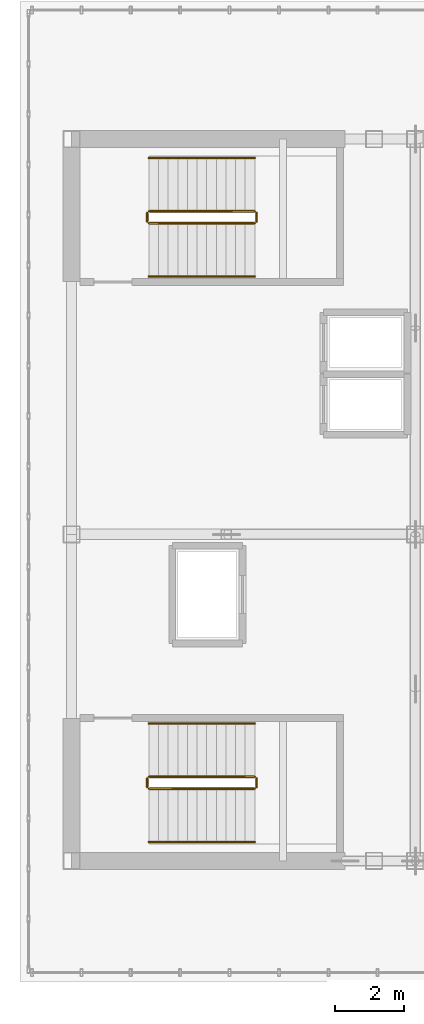
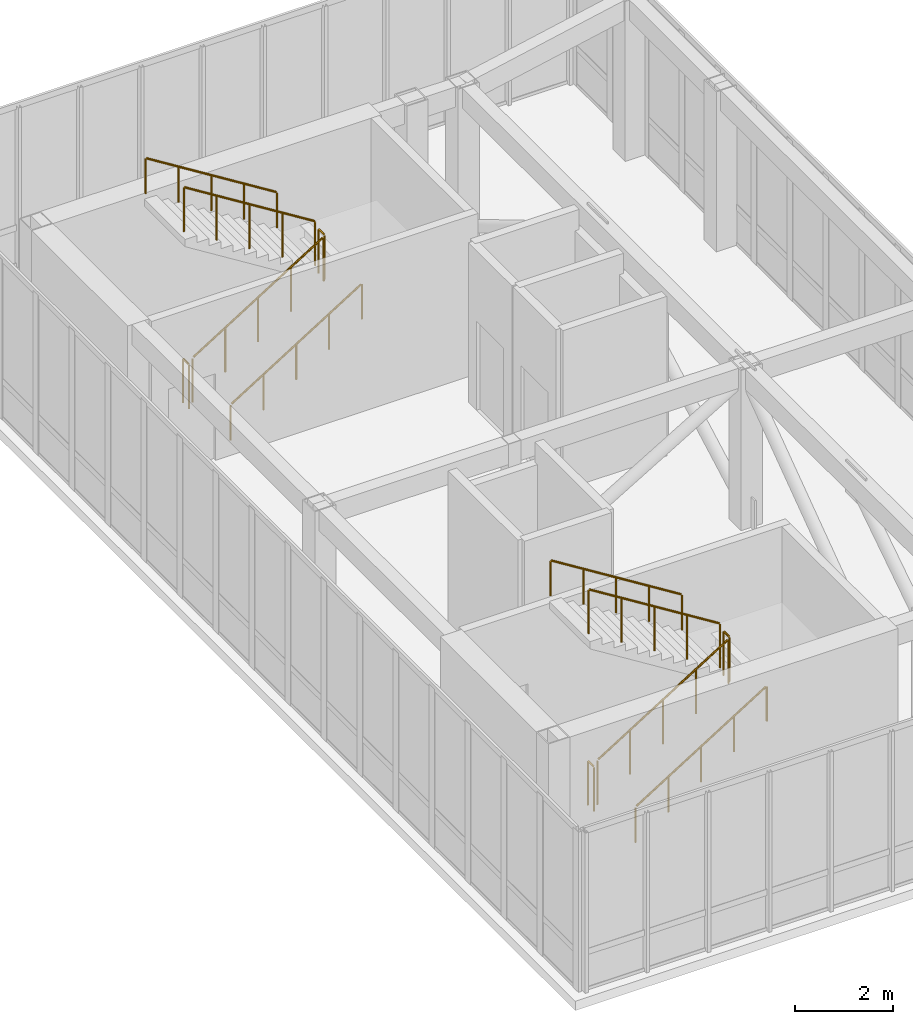
# One storey, part 13 of 13: 12 railings.
"""IFC4 building model written with IfcOpenShell, lengths in metres."""

from ifc_helpers import new_model, si_unit, direction, frame, origin, origin_2d, place, context, subcontext, project, spatial, circle, extrude, source, transform, mapped, material, layer, layer_set, type_object, element, save


model = new_model("IFC4")

# Units and contexts
model_context = context("Model", 3, precision=1e-05, world=origin(), true_north=direction((0.0, 1.0)))
body_context = subcontext(model_context, "Body", "Model", "MODEL_VIEW")
ifc_project = project(units=[si_unit("LENGTHUNIT", "METRE"), si_unit("AREAUNIT", "SQUARE_METRE"), si_unit("VOLUMEUNIT", "CUBIC_METRE"), si_unit("PLANEANGLEUNIT", "RADIAN"), si_unit("MASSUNIT", "GRAM", prefix="KILO")], contexts=[model_context])

# Site, building, storey
site_placement = place(None, origin())
site = spatial("IfcSite", under=ifc_project, at=site_placement, CompositionType="ELEMENT")
building_placement = place(site_placement, origin())
building = spatial("IfcBuilding", under=site, at=building_placement, Name="Kharzan Plaza Tower", CompositionType="ELEMENT")
storey_placement = place(building_placement, frame((0.0, 0.0, 294.0)))
storey = spatial("IfcBuildingStorey", under=building, at=storey_placement, Name="L79-CROWN", CompositionType="ELEMENT", Elevation=294.0)

# Railings
ifc_material_1 = material(Name="Painted Galvanized Architectural Steel", Category="steel")
ifc_layer_1 = layer(ifc_material_1, 0.074951171875)
ifc_layer_set_1 = layer_set([ifc_layer_1], Name="Painted Galvanized Architectural Steel")
railing_type_1 = type_object("IfcRailingType", Name="RL-GUARD-1120", PredefinedType="BALUSTRADE", material=ifc_layer_set_1)
shared_shape_1 = source(origin(), body_context, "Body", "SweptSolid", [
    extrude(circle(Radius=0.02392578125, at=origin_2d()), frame((0.0, 0.0263671875, 1.09619140625), z_axis=(0.0, 1.0, 0.0), x_axis=(-1.0, 0.0, 0.0)), (0.0, 0.0, 1.0), 0.197021484375),
    extrude(circle(Radius=0.02099609375, at=origin_2d()), origin(), (0.0, 0.0, 1.0), 1.072021484375),
    extrude(circle(Radius=0.02099609375, at=origin_2d()), frame((0.0, 0.25, 0.0)), (0.0, 0.0, 1.0), 1.072021484375),
])
for number, where, name in (
    (1, (9.8798828125, 10.64990234375, 2.10009765625), "L79-CROWN ST-1 stair guard 2"),
    (2, (6.699951171875, 10.64990234375, 0.0), "L79-CROWN ST-1 stair guard 4"),
    (3, (9.8798828125, 27.10009765625, 2.10009765625), "L79-CROWN ST-2 stair guard 2"),
    (4, (6.699951171875, 27.10009765625, 0.0), "L79-CROWN ST-2 stair guard 4"),
):
    element("IfcRailing", number, at=place(storey_placement, frame(where)), inside=storey, type_object=railing_type_1, Name=name, PredefinedType="BALUSTRADE", context=body_context, shape_type="MappedRepresentation", body=[
        mapped(shared_shape_1, transform((0.0, 0.0, 0.0), x_axis=(1.0, 0.0, 0.0), y_axis=(0.0, 1.0, 0.0), z_axis=(0.0, 0.0, 1.0))),
    ])
shared_shape_2 = source(origin(), body_context, "Body", "SweptSolid", [
    extrude(circle(Radius=0.02392578125, at=origin_2d()), frame((0.0224609375, 0.0, 1.110107421875), z_axis=(0.847998304005, 0.0, 0.529998940003), x_axis=(0.0, 1.0, 0.0)), (0.0, 0.0, 1.0), 3.579345703125),
    extrude(circle(Radius=0.02099609375, at=origin_2d()), origin(), (0.0, 0.0, 1.0), 1.072021484375),
    extrude(circle(Radius=0.02099609375, at=origin_2d()), frame((0.77001953125, 0.0, 0.481201171875)), (0.0, 0.0, 1.0), 1.072021484375),
    extrude(circle(Radius=0.02099609375, at=origin_2d()), frame((1.5400390625, 0.0, 0.96240234375)), (0.0, 0.0, 1.0), 1.072021484375),
    extrude(circle(Radius=0.02099609375, at=origin_2d()), frame((2.31005859375, 0.0, 1.44384765625)), (0.0, 0.0, 1.0), 1.072021484375),
    extrude(circle(Radius=0.02099609375, at=origin_2d()), frame((3.080078125, 0.0, 1.925048828125)), (0.0, 0.0, 1.0), 1.072021484375),
])
for number, where, name in (
    (5, (6.75, 10.60009765625, 0.175048828125), "L79-CROWN ST-1 stair guard 1"),
    (6, (6.75, 27.050048828125, 0.175048828125), "L79-CROWN ST-2 stair guard 1"),
):
    element("IfcRailing", number, at=place(storey_placement, frame(where)), inside=storey, type_object=railing_type_1, Name=name, PredefinedType="BALUSTRADE", context=body_context, shape_type="MappedRepresentation", body=[
        mapped(shared_shape_2, transform((0.0, 0.0, 0.0), x_axis=(1.0, 0.0, 0.0), y_axis=(0.0, 1.0, 0.0), z_axis=(0.0, 0.0, 1.0))),
    ])
ifc_material_2 = material(Name="Brushed Stainless Steel", Category="steel")
ifc_layer_2 = layer(ifc_material_2, 0.050048828125)
ifc_layer_set_2 = layer_set([ifc_layer_2], Name="Brushed Stainless Steel")
railing_type_2 = type_object("IfcRailingType", Name="RL-STAIR-HR920", PredefinedType="HANDRAIL", material=ifc_layer_set_2)
shared_shape_3 = source(origin(), body_context, "Body", "SweptSolid", [
    extrude(circle(Radius=0.02392578125, at=origin_2d()), frame((0.0224609375, 0.0, 0.889892578125), z_axis=(0.847998304005, 0.0, 0.529998940003), x_axis=(0.0, 1.0, 0.0)), (0.0, 0.0, 1.0), 3.579345703125),
    extrude(circle(Radius=0.02099609375, at=origin_2d()), origin(), (0.0, 0.0, 1.0), 0.851806640625),
    extrude(circle(Radius=0.02099609375, at=origin_2d()), frame((0.77001953125, 0.0, 0.481201171875)), (0.0, 0.0, 1.0), 0.851806640625),
    extrude(circle(Radius=0.02099609375, at=origin_2d()), frame((1.5400390625, 0.0, 0.96240234375)), (0.0, 0.0, 1.0), 0.851806640625),
    extrude(circle(Radius=0.02099609375, at=origin_2d()), frame((2.31005859375, 0.0, 1.44384765625)), (0.0, 0.0, 1.0), 0.851806640625),
    extrude(circle(Radius=0.02099609375, at=origin_2d()), frame((3.080078125, 0.0, 1.925048828125)), (0.0, 0.0, 1.0), 0.851806640625),
])
for number, where, name in (
    (7, (6.75, 9.050048828125, 0.175048828125), "L79-CROWN ST-1 stair handrail 1"),
    (8, (6.75, 25.5, 0.175048828125), "L79-CROWN ST-2 stair handrail 1"),
):
    element("IfcRailing", number, at=place(storey_placement, frame(where)), inside=storey, type_object=railing_type_2, Name=name, PredefinedType="HANDRAIL", context=body_context, shape_type="MappedRepresentation", body=[
        mapped(shared_shape_3, transform((0.0, 0.0, 0.0), x_axis=(1.0, 0.0, 0.0), y_axis=(0.0, 1.0, 0.0), z_axis=(0.0, 0.0, 1.0))),
    ])
shared_shape_4 = source(origin(), body_context, "Body", "SweptSolid", [
    extrude(circle(Radius=0.02392578125, at=origin_2d()), frame((-0.0224609375, 0.0, 1.110107421875), z_axis=(-0.847998304005, 0.0, 0.529998940003), x_axis=(0.0, -1.0, 0.0)), (0.0, 0.0, 1.0), 3.579345703125),
    extrude(circle(Radius=0.02099609375, at=origin_2d()), origin(), (0.0, 0.0, 1.0), 1.072021484375),
    extrude(circle(Radius=0.02099609375, at=origin_2d()), frame((-0.77001953125, 0.0, 0.481201171875)), (0.0, 0.0, 1.0), 1.072021484375),
    extrude(circle(Radius=0.02099609375, at=origin_2d()), frame((-1.5400390625, 0.0, 0.96240234375)), (0.0, 0.0, 1.0), 1.072021484375),
    extrude(circle(Radius=0.02099609375, at=origin_2d()), frame((-2.31005859375, 0.0, 1.44384765625)), (0.0, 0.0, 1.0), 1.072021484375),
    extrude(circle(Radius=0.02099609375, at=origin_2d()), frame((-3.080078125, 0.0, 1.925048828125)), (0.0, 0.0, 1.0), 1.072021484375),
])
for number, where, name in (
    (9, (9.830078125, 10.949951171875, 2.27490234375), "L79-CROWN ST-1 stair guard 3"),
    (10, (9.830078125, 27.39990234375, 2.27490234375), "L79-CROWN ST-2 stair guard 3"),
):
    element("IfcRailing", number, at=place(storey_placement, frame(where)), inside=storey, type_object=railing_type_1, Name=name, PredefinedType="BALUSTRADE", context=body_context, shape_type="MappedRepresentation", body=[
        mapped(shared_shape_4, transform((0.0, 0.0, 0.0), x_axis=(1.0, 0.0, 0.0), y_axis=(0.0, 1.0, 0.0), z_axis=(0.0, 0.0, 1.0))),
    ])
shared_shape_5 = source(origin(), body_context, "Body", "SweptSolid", [
    extrude(circle(Radius=0.02392578125, at=origin_2d()), frame((-0.0224609375, 0.0, 0.889892578125), z_axis=(-0.847998304005, 0.0, 0.529998940003), x_axis=(0.0, -1.0, 0.0)), (0.0, 0.0, 1.0), 3.579345703125),
    extrude(circle(Radius=0.02099609375, at=origin_2d()), origin(), (0.0, 0.0, 1.0), 0.851806640625),
    extrude(circle(Radius=0.02099609375, at=origin_2d()), frame((-0.77001953125, 0.0, 0.481201171875)), (0.0, 0.0, 1.0), 0.851806640625),
    extrude(circle(Radius=0.02099609375, at=origin_2d()), frame((-1.5400390625, 0.0, 0.96240234375)), (0.0, 0.0, 1.0), 0.851806640625),
    extrude(circle(Radius=0.02099609375, at=origin_2d()), frame((-2.31005859375, 0.0, 1.44384765625)), (0.0, 0.0, 1.0), 0.851806640625),
    extrude(circle(Radius=0.02099609375, at=origin_2d()), frame((-3.080078125, 0.0, 1.925048828125)), (0.0, 0.0, 1.0), 0.851806640625),
])
for number, where, name in (
    (11, (9.830078125, 12.5, 2.27490234375), "L79-CROWN ST-1 stair handrail 2"),
    (12, (9.830078125, 28.949951171875, 2.27490234375), "L79-CROWN ST-2 stair handrail 2"),
):
    element("IfcRailing", number, at=place(storey_placement, frame(where)), inside=storey, type_object=railing_type_2, Name=name, PredefinedType="HANDRAIL", context=body_context, shape_type="MappedRepresentation", body=[
        mapped(shared_shape_5, transform((0.0, 0.0, 0.0), x_axis=(1.0, 0.0, 0.0), y_axis=(0.0, 1.0, 0.0), z_axis=(0.0, 0.0, 1.0))),
    ])

save(model, "model.ifc")
